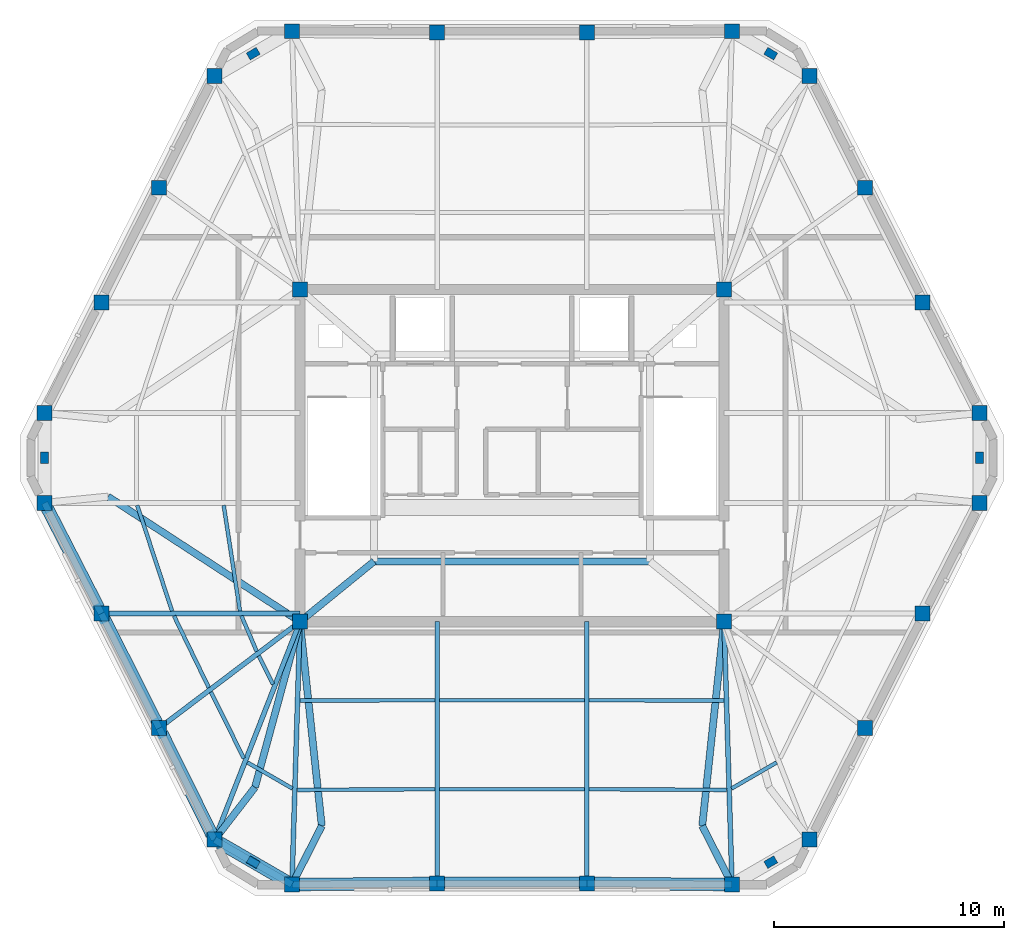
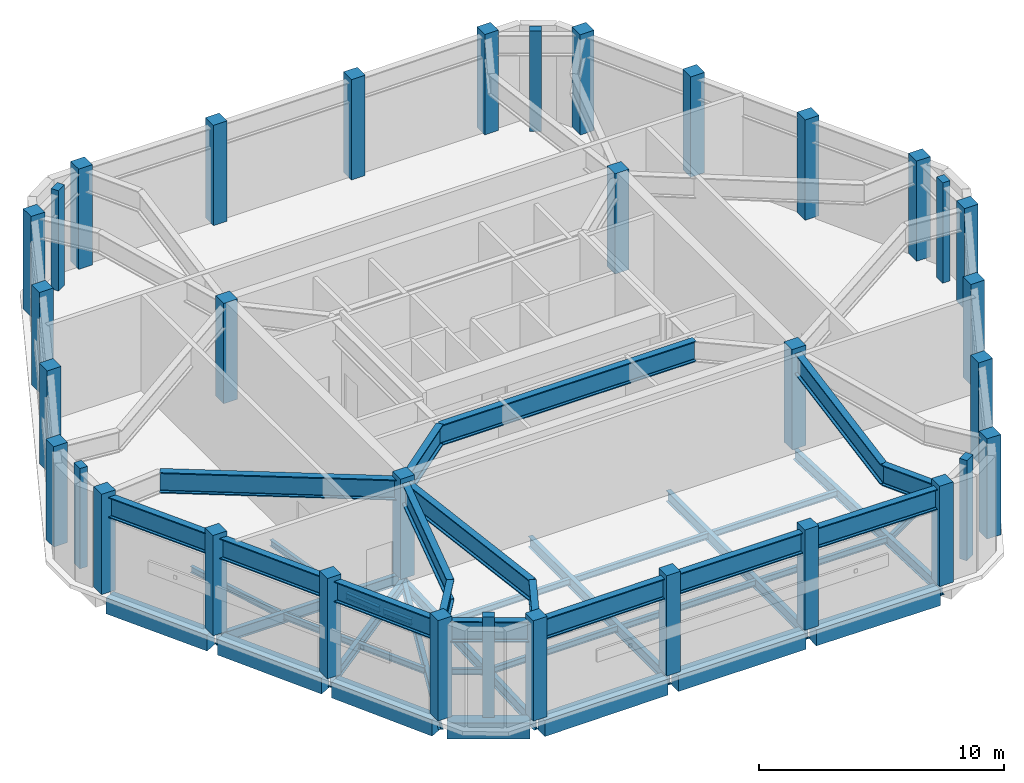
# One storey, part 1 of 6: 44 beams, 34 columns.
"""IFC4 building model written with IfcOpenShell, lengths in metres."""

from ifc_helpers import new_model, si_unit, direction, frame, origin, origin_2d, place, context, subcontext, project, spatial, rectangle, i_section, extrude, material, material_profile, profile_set, type_object, element, save


model = new_model("IFC4")

# Units and contexts
model_context = context("Model", 3, precision=1e-05, world=origin(), true_north=direction((0.0, 1.0)))
body_context = subcontext(model_context, "Body", "Model", "MODEL_VIEW")
ifc_project = project(units=[si_unit("LENGTHUNIT", "METRE"), si_unit("AREAUNIT", "SQUARE_METRE"), si_unit("VOLUMEUNIT", "CUBIC_METRE"), si_unit("PLANEANGLEUNIT", "RADIAN"), si_unit("MASSUNIT", "GRAM", prefix="KILO")], contexts=[model_context])

# Site, building, storey
site_placement = place(None, origin())
site = spatial("IfcSite", under=ifc_project, at=site_placement, CompositionType="ELEMENT")
building_placement = place(site_placement, origin())
building = spatial("IfcBuilding", under=site, at=building_placement, Name="Cinnabar Lancet Tower", CompositionType="ELEMENT")
storey_placement = place(building_placement, frame((0.0, 0.0, 300.5)))
storey = spatial("IfcBuildingStorey", under=building, at=storey_placement, Name="L79", CompositionType="ELEMENT", Elevation=300.5)

# Columns
ifc_material_1 = material(Name="Concrete C50/60", Category="concrete")
ifc_material_profile_1 = material_profile(ifc_material_1, rectangle(XDim=0.64990234375, YDim=0.64990234375, at=origin_2d()), Name="RC-COL 650x650")
ifc_profile_set_1 = profile_set([ifc_material_profile_1], Name="Concrete C50/60")
column_type_1 = type_object("IfcColumnType", Name="STR-COL-CORE-650B", PredefinedType="COLUMN", material=ifc_profile_set_1)
for number, where, z_axis, x_axis, name in (
    (1, (23.175048828125, 18.675048828125, 0.0), (0.0, 0.0, 1.0), (1.0, 0.0, 0.0), "L79 Core Corner Column SW"),
    (2, (41.625, 18.675048828125, 0.0), (0.0, 0.0, 1.0), (1.0, 0.0, 0.0), "L79 Core Corner Column SE"),
    (3, (41.625, 33.125, 0.0), (0.0, 0.0, 1.0), (1.0, 0.0, 0.0), "L79 Core Corner Column NE"),
    (4, (23.175048828125, 33.125, 0.0), (0.0, 0.0, 1.0), (1.0, 0.0, 0.0), "L79 Core Corner Column NW"),
):
    element("IfcColumn", number, at=place(storey_placement, frame(where, z_axis=z_axis, x_axis=x_axis)), inside=storey, type_object=column_type_1, Name=name, PredefinedType="COLUMN", context=body_context, shape_type="SweptSolid", body=[
        extrude(rectangle(XDim=0.64990234375, YDim=0.64990234375, at=origin_2d()), origin(), (0.0, 0.0, 1.0), 5.0),
    ])
ifc_material_2 = material(Name="Concrete C60/75", Category="concrete")
ifc_material_profile_2 = material_profile(ifc_material_2, rectangle(XDim=0.5, YDim=0.35009765625, at=origin_2d()), Name="RC-PIL 500x350")
ifc_profile_set_2 = profile_set([ifc_material_profile_2], Name="Concrete C60/75")
column_type_2 = type_object("IfcColumnType", Name="STR-COL-PIL-500", PredefinedType="PILASTER", material=ifc_profile_set_2)
for number, where, z_axis, x_axis, name in (
    (5, (21.14306640625, 8.215087890625, 0.0), (0.0, 0.0, 1.0), (0.865256437757, -0.501329529272, 0.0), "L79 Chamfered Corner Pilaster 1"),
    (6, (43.656982421875, 8.215087890625, 0.0), (0.0, 0.0, 1.0), (0.865256437757, 0.501329529272, 0.0), "L79 Chamfered Corner Pilaster 2"),
    (7, (52.737060546875, 25.800048828125, 0.0), (0.0, 0.0, 1.0), (0.0, 1.0, 0.0), "L79 Chamfered Corner Pilaster 3"),
    (8, (43.656982421875, 43.385009765625, 0.0), (0.0, 0.0, 1.0), (-0.865256437757, 0.501329529272, 0.0), "L79 Chamfered Corner Pilaster 4"),
    (9, (21.14306640625, 43.385009765625, 0.0), (0.0, 0.0, 1.0), (-0.865256437757, -0.501329529272, 0.0), "L79 Chamfered Corner Pilaster 5"),
    (10, (12.06298828125, 25.800048828125, 0.0), (0.0, 0.0, 1.0), (0.0, -1.0, 0.0), "L79 Chamfered Corner Pilaster 6"),
):
    element("IfcColumn", number, at=place(storey_placement, frame(where, z_axis=z_axis, x_axis=x_axis)), inside=storey, type_object=column_type_2, Name=name, PredefinedType="PILASTER", context=body_context, shape_type="SweptSolid", body=[
        extrude(rectangle(XDim=0.5, YDim=0.35009765625, at=origin_2d()), origin(), (0.0, 0.0, 1.0), 5.0),
    ])
ifc_material_3 = material(Name="Concrete C50/60", Category="concrete")
ifc_material_profile_3 = material_profile(ifc_material_3, rectangle(XDim=0.64990234375, YDim=0.64990234375, at=origin_2d()), Name="RC-COL 650x650")
ifc_profile_set_3 = profile_set([ifc_material_profile_3], Name="Concrete C50/60")
column_type_3 = type_object("IfcColumnType", Name="STR-COL-TUBE-650", PredefinedType="COLUMN", material=ifc_profile_set_3)
for number, where, z_axis, x_axis, name in (
    (11, (22.827880859375, 7.239013671875, 0.0), (0.0, 0.0, 1.0), (1.0, 0.0, 0.0), "L79 Perimeter Tube Column 1"),
    (12, (29.14599609375, 7.2919921875, 0.0), (0.0, 0.0, 1.0), (1.0, 0.0, 0.0), "L79 Perimeter Tube Column 2"),
    (13, (35.654052734375, 7.2919921875, 0.0), (0.0, 0.0, 1.0), (1.0, 0.0, 0.0), "L79 Perimeter Tube Column 3"),
    (14, (41.971923828125, 7.239013671875, 0.0), (0.0, 0.0, 1.0), (1.0, 0.0, 0.0), "L79 Perimeter Tube Column 4"),
    (15, (45.341064453125, 9.19091796875, 0.0), (0.0, 0.0, 1.0), (1.0, 0.0, 0.0), "L79 Perimeter Tube Column 5"),
    (16, (47.7490234375, 14.0458984375, 0.0), (0.0, 0.0, 1.0), (1.0, 0.0, 0.0), "L79 Perimeter Tube Column 6"),
    (17, (50.263916015625, 19.032958984375, 0.0), (0.0, 0.0, 1.0), (1.0, 0.0, 0.0), "L79 Perimeter Tube Column 7"),
    (18, (52.737060546875, 23.844970703125, 0.0), (0.0, 0.0, 1.0), (1.0, 0.0, 0.0), "L79 Perimeter Tube Column 8"),
    (19, (52.737060546875, 27.7548828125, 0.0), (0.0, 0.0, 1.0), (1.0, 0.0, 0.0), "L79 Perimeter Tube Column 9"),
    (20, (50.263916015625, 32.56689453125, 0.0), (0.0, 0.0, 1.0), (1.0, 0.0, 0.0), "L79 Perimeter Tube Column 10"),
    (21, (47.7490234375, 37.553955078125, 0.0), (0.0, 0.0, 1.0), (1.0, 0.0, 0.0), "L79 Perimeter Tube Column 11"),
    (22, (45.341064453125, 42.408935546875, 0.0), (0.0, 0.0, 1.0), (1.0, 0.0, 0.0), "L79 Perimeter Tube Column 12"),
    (23, (41.971923828125, 44.361083984375, 0.0), (0.0, 0.0, 1.0), (1.0, 0.0, 0.0), "L79 Perimeter Tube Column 13"),
    (24, (35.654052734375, 44.30810546875, 0.0), (0.0, 0.0, 1.0), (1.0, 0.0, 0.0), "L79 Perimeter Tube Column 14"),
    (25, (29.14599609375, 44.30810546875, 0.0), (0.0, 0.0, 1.0), (1.0, 0.0, 0.0), "L79 Perimeter Tube Column 15"),
    (26, (22.827880859375, 44.361083984375, 0.0), (0.0, 0.0, 1.0), (1.0, 0.0, 0.0), "L79 Perimeter Tube Column 16"),
    (27, (19.458984375, 42.408935546875, 0.0), (0.0, 0.0, 1.0), (1.0, 0.0, 0.0), "L79 Perimeter Tube Column 17"),
    (28, (17.051025390625, 37.553955078125, 0.0), (0.0, 0.0, 1.0), (1.0, 0.0, 0.0), "L79 Perimeter Tube Column 18"),
    (29, (14.535888671875, 32.56689453125, 0.0), (0.0, 0.0, 1.0), (1.0, 0.0, 0.0), "L79 Perimeter Tube Column 19"),
    (30, (12.06298828125, 27.7548828125, 0.0), (0.0, 0.0, 1.0), (1.0, 0.0, 0.0), "L79 Perimeter Tube Column 20"),
    (31, (12.06298828125, 23.844970703125, 0.0), (0.0, 0.0, 1.0), (1.0, 0.0, 0.0), "L79 Perimeter Tube Column 21"),
    (32, (14.535888671875, 19.032958984375, 0.0), (0.0, 0.0, 1.0), (1.0, 0.0, 0.0), "L79 Perimeter Tube Column 22"),
    (33, (17.051025390625, 14.0458984375, 0.0), (0.0, 0.0, 1.0), (1.0, 0.0, 0.0), "L79 Perimeter Tube Column 23"),
    (34, (19.458984375, 9.19091796875, 0.0), (0.0, 0.0, 1.0), (1.0, 0.0, 0.0), "L79 Perimeter Tube Column 24"),
):
    element("IfcColumn", number, at=place(storey_placement, frame(where, z_axis=z_axis, x_axis=x_axis)), inside=storey, type_object=column_type_3, Name=name, PredefinedType="COLUMN", context=body_context, shape_type="SweptSolid", body=[
        extrude(rectangle(XDim=0.64990234375, YDim=0.64990234375, at=origin_2d()), origin(), (0.0, 0.0, 1.0), 5.0),
    ])

# Beams
ifc_material_4 = material(Name="Structural steel S355", Category="steel")
ifc_material_profile_4 = material_profile(ifc_material_4, i_section(OverallWidth=0.1650390625, OverallDepth=0.303466796875, WebThickness=0.006103515625, FlangeThickness=0.01025390625, FilletRadius=0.0087890625, at=origin_2d()), Name="UKB 305x165x40")
ifc_profile_set_4 = profile_set([ifc_material_profile_4], Name="Structural steel S355")
beam_type_1 = type_object("IfcBeamType", Name="STR-BM-JST-305", PredefinedType="JOIST", material=ifc_profile_set_4)
beam_1_placement = place(storey_placement, frame((16.097900390625, 23.739990234375, -0.35205078125), z_axis=(0.312536616989, -0.949905712711, 0.0), x_axis=(0.949905712711, 0.312536616989, 0.0)))
element("IfcBeam", 35, at=beam_1_placement, inside=storey, type_object=beam_type_1, Name="L79 Secondary Floor Joist 1", PredefinedType="JOIST", context=body_context, shape_type="SweptSolid", body=[
    extrude(i_section(OverallWidth=0.1650390625, OverallDepth=0.303466796875, WebThickness=0.006103515625, FlangeThickness=0.01025390625, FilletRadius=0.0087890625, at=origin_2d()), origin(), (0.0, 0.0, 1.0), 4.8447265625),
])
beam_2_placement = place(storey_placement, frame((19.85791015625, 23.739990234375, -0.35205078125), z_axis=(0.152262059154, -0.988340156698, 0.0), x_axis=(0.988340156698, 0.152262059154, 0.0)))
element("IfcBeam", 36, at=beam_2_placement, inside=storey, type_object=beam_type_1, Name="L79 Secondary Floor Joist 2", PredefinedType="JOIST", context=body_context, shape_type="SweptSolid", body=[
    extrude(i_section(OverallWidth=0.1650390625, OverallDepth=0.303466796875, WebThickness=0.006103515625, FlangeThickness=0.01025390625, FilletRadius=0.0087890625, at=origin_2d()), origin(), (0.0, 0.0, 1.0), 4.65625),
])
beam_3_placement = place(storey_placement, frame((17.697021484375, 18.927978515625, -0.35205078125), z_axis=(0.43610936109, -0.899893674369, 0.0), x_axis=(0.899893674369, 0.43610936109, 0.0)))
element("IfcBeam", 37, at=beam_3_placement, inside=storey, type_object=beam_type_1, Name="L79 Secondary Floor Joist 3", PredefinedType="JOIST", context=body_context, shape_type="SweptSolid", body=[
    extrude(i_section(OverallWidth=0.1650390625, OverallDepth=0.303466796875, WebThickness=0.006103515625, FlangeThickness=0.01025390625, FilletRadius=0.0087890625, at=origin_2d()), origin(), (0.0, 0.0, 1.0), 3.467041015625),
])
beam_4_placement = place(storey_placement, frame((20.62890625, 18.927978515625, -0.35205078125), z_axis=(0.396302440144, -0.91812002262, 0.0), x_axis=(0.91812002262, 0.396302440144, 0.0)))
element("IfcBeam", 38, at=beam_4_placement, inside=storey, type_object=beam_type_1, Name="L79 Secondary Floor Joist 4", PredefinedType="JOIST", context=body_context, shape_type="SweptSolid", body=[
    extrude(i_section(OverallWidth=0.1650390625, OverallDepth=0.303466796875, WebThickness=0.006103515625, FlangeThickness=0.01025390625, FilletRadius=0.0087890625, at=origin_2d()), origin(), (0.0, 0.0, 1.0), 1.6806640625),
])
beam_5_placement = place(storey_placement, frame((19.302978515625, 15.616943359375, -0.35205078125), z_axis=(0.444330443712, -0.895862967641, 0.0), x_axis=(0.895862967641, 0.444330443712, 0.0)))
element("IfcBeam", 39, at=beam_5_placement, inside=storey, type_object=beam_type_1, Name="L79 Secondary Floor Joist 5", PredefinedType="JOIST", context=body_context, shape_type="SweptSolid", body=[
    extrude(i_section(OverallWidth=0.1650390625, OverallDepth=0.303466796875, WebThickness=0.006103515625, FlangeThickness=0.01025390625, FilletRadius=0.0087890625, at=origin_2d()), origin(), (0.0, 0.0, 1.0), 3.220458984375),
])
beam_6_placement = place(storey_placement, frame((21.385009765625, 17.19091796875, -0.35205078125), z_axis=(0.444093192127, -0.89598060063, 0.0), x_axis=(0.89598060063, 0.444093192127, 0.0)))
element("IfcBeam", 40, at=beam_6_placement, inside=storey, type_object=beam_type_1, Name="L79 Secondary Floor Joist 6", PredefinedType="JOIST", context=body_context, shape_type="SweptSolid", body=[
    extrude(i_section(OverallWidth=0.1650390625, OverallDepth=0.303466796875, WebThickness=0.006103515625, FlangeThickness=0.01025390625, FilletRadius=0.0087890625, at=origin_2d()), origin(), (0.0, 0.0, 1.0), 1.378173828125),
])
beam_7_placement = place(storey_placement, frame((20.887939453125, 12.552001953125, -0.35205078125), z_axis=(0.865426285481, -0.501036270542, 0.0), x_axis=(0.501036270542, 0.865426285481, 0.0)))
element("IfcBeam", 41, at=beam_7_placement, inside=storey, type_object=beam_type_1, Name="L79 Secondary Floor Joist 7", PredefinedType="JOIST", context=body_context, shape_type="SweptSolid", body=[
    extrude(i_section(OverallWidth=0.1650390625, OverallDepth=0.303466796875, WebThickness=0.006103515625, FlangeThickness=0.01025390625, FilletRadius=0.0087890625, at=origin_2d()), origin(), (0.0, 0.0, 1.0), 2.267333984375),
])
beam_8_placement = place(storey_placement, frame((23.05810546875, 11.35693359375, -0.35205078125), z_axis=(0.999985712428, 0.005345553266, 0.0), x_axis=(-0.005345553266, 0.999985712428, 0.0)))
element("IfcBeam", 42, at=beam_8_placement, inside=storey, type_object=beam_type_1, Name="L79 Secondary Floor Joist 8", PredefinedType="JOIST", context=body_context, shape_type="SweptSolid", body=[
    extrude(i_section(OverallWidth=0.1650390625, OverallDepth=0.303466796875, WebThickness=0.006103515625, FlangeThickness=0.01025390625, FilletRadius=0.0087890625, at=origin_2d()), origin(), (0.0, 0.0, 1.0), 5.98291015625),
])
beam_9_placement = place(storey_placement, frame((23.176025390625, 15.243896484375, -0.35205078125), z_axis=(0.999996226008, 0.002747356738, 0.0), x_axis=(-0.002747356738, 0.999996226008, 0.0)))
element("IfcBeam", 43, at=beam_9_placement, inside=storey, type_object=beam_type_1, Name="L79 Secondary Floor Joist 9", PredefinedType="JOIST", context=body_context, shape_type="SweptSolid", body=[
    extrude(i_section(OverallWidth=0.1650390625, OverallDepth=0.303466796875, WebThickness=0.006103515625, FlangeThickness=0.01025390625, FilletRadius=0.0087890625, at=origin_2d()), origin(), (0.0, 0.0, 1.0), 5.864990234375),
])
for number, where, z_axis, x_axis, name in (
    (44, (29.2509765625, 11.389892578125, -0.35205078125), (1.0, 0.0, 0.0), (0.0, 1.0, 0.0), "L79 Secondary Floor Joist 10"),
    (45, (29.2509765625, 15.260009765625, -0.35205078125), (1.0, 0.0, 0.0), (0.0, 1.0, 0.0), "L79 Secondary Floor Joist 11"),
):
    element("IfcBeam", number, at=place(storey_placement, frame(where, z_axis=z_axis, x_axis=x_axis)), inside=storey, type_object=beam_type_1, Name=name, PredefinedType="JOIST", context=body_context, shape_type="SweptSolid", body=[
        extrude(i_section(OverallWidth=0.1650390625, OverallDepth=0.303466796875, WebThickness=0.006103515625, FlangeThickness=0.01025390625, FilletRadius=0.0087890625, at=origin_2d()), origin(), (0.0, 0.0, 1.0), 6.298095703125),
    ])
beam_10_placement = place(storey_placement, frame((35.759033203125, 11.388916015625, -0.35205078125), z_axis=(0.999985712428, -0.005345553266, 0.0), x_axis=(0.005345553266, 0.999985712428, 0.0)))
element("IfcBeam", 46, at=beam_10_placement, inside=storey, type_object=beam_type_1, Name="L79 Secondary Floor Joist 12", PredefinedType="JOIST", context=body_context, shape_type="SweptSolid", body=[
    extrude(i_section(OverallWidth=0.1650390625, OverallDepth=0.303466796875, WebThickness=0.006103515625, FlangeThickness=0.01025390625, FilletRadius=0.0087890625, at=origin_2d()), origin(), (0.0, 0.0, 1.0), 5.98291015625),
])
beam_11_placement = place(storey_placement, frame((35.759033203125, 15.260009765625, -0.35205078125), z_axis=(0.999996226008, -0.002747356738, 0.0), x_axis=(0.002747356738, 0.999996226008, 0.0)))
element("IfcBeam", 47, at=beam_11_placement, inside=storey, type_object=beam_type_1, Name="L79 Secondary Floor Joist 13", PredefinedType="JOIST", context=body_context, shape_type="SweptSolid", body=[
    extrude(i_section(OverallWidth=0.1650390625, OverallDepth=0.303466796875, WebThickness=0.006103515625, FlangeThickness=0.01025390625, FilletRadius=0.0087890625, at=origin_2d()), origin(), (0.0, 0.0, 1.0), 5.864990234375),
])
beam_12_placement = place(storey_placement, frame((41.949951171875, 11.416015625, -0.35205078125), z_axis=(0.865426285481, 0.501036270542, 0.0), x_axis=(-0.501036270542, 0.865426285481, 0.0)))
element("IfcBeam", 48, at=beam_12_placement, inside=storey, type_object=beam_type_1, Name="L79 Secondary Floor Joist 14", PredefinedType="JOIST", context=body_context, shape_type="SweptSolid", body=[
    extrude(i_section(OverallWidth=0.1650390625, OverallDepth=0.303466796875, WebThickness=0.006103515625, FlangeThickness=0.01025390625, FilletRadius=0.0087890625, at=origin_2d()), origin(), (0.0, 0.0, 1.0), 2.267333984375),
])
ifc_material_5 = material(Name="Concrete C50/60", Category="concrete")
ifc_material_profile_5 = material_profile(ifc_material_5, rectangle(XDim=0.550048828125, YDim=0.800048828125, at=origin_2d()), Name="RC-SB 550x800")
ifc_profile_set_5 = profile_set([ifc_material_profile_5], Name="Concrete C50/60")
beam_type_2 = type_object("IfcBeamType", Name="STR-BM-RCSB-800", PredefinedType="SPANDREL", material=ifc_profile_set_5)
beam_13_placement = place(storey_placement, frame((23.077880859375, 7.240966796875, -0.60009765625), z_axis=(0.999964432412, 0.008434092187, 0.0), x_axis=(-0.008434092187, 0.999964432412, 0.0)))
element("IfcBeam", 49, at=beam_13_placement, inside=storey, type_object=beam_type_2, Name="L79 Perimeter Spandrel 1", PredefinedType="SPANDREL", context=body_context, shape_type="SweptSolid", body=[
    extrude(rectangle(XDim=0.550048828125, YDim=0.800048828125, at=origin_2d()), origin(), (0.0, 0.0, 1.0), 5.818359375),
])
beam_14_placement = place(storey_placement, frame((29.39599609375, 7.2919921875, -0.60009765625), z_axis=(1.0, 0.0, 0.0), x_axis=(0.0, 1.0, 0.0)))
element("IfcBeam", 50, at=beam_14_placement, inside=storey, type_object=beam_type_2, Name="L79 Perimeter Spandrel 2", PredefinedType="SPANDREL", context=body_context, shape_type="SweptSolid", body=[
    extrude(rectangle(XDim=0.550048828125, YDim=0.800048828125, at=origin_2d()), origin(), (0.0, 0.0, 1.0), 6.008056640625),
])
beam_15_placement = place(storey_placement, frame((35.904052734375, 7.2900390625, -0.60009765625), z_axis=(0.999964429427, -0.00843444609, 0.0), x_axis=(0.00843444609, 0.999964429427, 0.0)))
element("IfcBeam", 51, at=beam_15_placement, inside=storey, type_object=beam_type_2, Name="L79 Perimeter Spandrel 3", PredefinedType="SPANDREL", context=body_context, shape_type="SweptSolid", body=[
    extrude(rectangle(XDim=0.550048828125, YDim=0.800048828125, at=origin_2d()), origin(), (0.0, 0.0, 1.0), 5.818115234375),
])
beam_16_placement = place(storey_placement, frame((12.177001953125, 23.623046875, -0.60009765625), z_axis=(0.457127852293, -0.889400993174, 0.0), x_axis=(0.889400993174, 0.457127852293, 0.0)))
element("IfcBeam", 52, at=beam_16_placement, inside=storey, type_object=beam_type_2, Name="L79 Perimeter Spandrel 21", PredefinedType="SPANDREL", context=body_context, shape_type="SweptSolid", body=[
    extrude(rectangle(XDim=0.550048828125, YDim=0.800048828125, at=origin_2d()), origin(), (0.0, 0.0, 1.0), 4.911376953125),
])
beam_17_placement = place(storey_placement, frame((14.64892578125, 18.81005859375, -0.60009765625), z_axis=(0.450130146726, -0.892962961722, 0.0), x_axis=(0.892962961722, 0.450130146726, 0.0)))
element("IfcBeam", 53, at=beam_17_placement, inside=storey, type_object=beam_type_2, Name="L79 Perimeter Spandrel 22", PredefinedType="SPANDREL", context=body_context, shape_type="SweptSolid", body=[
    extrude(rectangle(XDim=0.550048828125, YDim=0.800048828125, at=origin_2d()), origin(), (0.0, 0.0, 1.0), 5.08544921875),
])
beam_18_placement = place(storey_placement, frame((17.162109375, 13.822021484375, -0.60009765625), z_axis=(0.44433276947, -0.895861814107, 0.0), x_axis=(0.895861814107, 0.44433276947, 0.0)))
element("IfcBeam", 54, at=beam_18_placement, inside=storey, type_object=beam_type_2, Name="L79 Perimeter Spandrel 23", PredefinedType="SPANDREL", context=body_context, shape_type="SweptSolid", body=[
    extrude(rectangle(XDim=0.550048828125, YDim=0.800048828125, at=origin_2d()), origin(), (0.0, 0.0, 1.0), 4.919189453125),
])
beam_19_placement = place(storey_placement, frame((19.675048828125, 9.06591796875, -0.60009765625), z_axis=(0.865230894194, -0.50137361292, 0.0), x_axis=(0.50137361292, 0.865230894194, 0.0)))
element("IfcBeam", 55, at=beam_19_placement, inside=storey, type_object=beam_type_2, Name="L79 Perimeter Spandrel 24", PredefinedType="SPANDREL", context=body_context, shape_type="SweptSolid", body=[
    extrude(rectangle(XDim=0.550048828125, YDim=0.800048828125, at=origin_2d()), origin(), (0.0, 0.0, 1.0), 3.39453125),
])
ifc_material_6 = material(Name="Structural steel S460", Category="steel")
ifc_material_profile_6 = material_profile(ifc_material_6, i_section(OverallWidth=0.305419921875, OverallDepth=1.02587890625, WebThickness=0.02685546875, FlangeThickness=0.049072265625, FilletRadius=0.030029296875, at=origin_2d()), Name="UKB 1016x305x437")
ifc_profile_set_6 = profile_set([ifc_material_profile_6], Name="Structural steel S460")
beam_type_3 = type_object("IfcBeamType", Name="STR-BM-UKB1016-437", PredefinedType="BEAM", material=ifc_profile_set_6)
beam_20_placement = place(storey_placement, frame((22.827880859375, 7.239013671875, 4.237060546875), z_axis=(0.999964846256, 0.0083848824, 0.0), x_axis=(-0.0083848824, 0.999964846256, 0.0)))
element("IfcBeam", 56, at=beam_20_placement, inside=storey, type_object=beam_type_3, Name="L80 Setback Outer Ring Girder 1", PredefinedType="BEAM", context=body_context, shape_type="SweptSolid", body=[
    extrude(i_section(OverallWidth=0.305419921875, OverallDepth=1.02587890625, WebThickness=0.02685546875, FlangeThickness=0.049072265625, FilletRadius=0.030029296875, at=origin_2d()), origin(), (0.0, 0.0, 1.0), 6.318359375),
])
beam_21_placement = place(storey_placement, frame((29.14599609375, 7.2919921875, 4.237060546875), z_axis=(1.0, 0.0, 0.0), x_axis=(0.0, 1.0, 0.0)))
element("IfcBeam", 57, at=beam_21_placement, inside=storey, type_object=beam_type_3, Name="L80 Setback Outer Ring Girder 2", PredefinedType="BEAM", context=body_context, shape_type="SweptSolid", body=[
    extrude(i_section(OverallWidth=0.305419921875, OverallDepth=1.02587890625, WebThickness=0.02685546875, FlangeThickness=0.049072265625, FilletRadius=0.030029296875, at=origin_2d()), origin(), (0.0, 0.0, 1.0), 6.508056640625),
])
beam_22_placement = place(storey_placement, frame((35.654052734375, 7.2919921875, 4.237060546875), z_axis=(0.999964843539, -0.008385206393, 0.0), x_axis=(0.008385206393, 0.999964843539, 0.0)))
element("IfcBeam", 58, at=beam_22_placement, inside=storey, type_object=beam_type_3, Name="L80 Setback Outer Ring Girder 3", PredefinedType="BEAM", context=body_context, shape_type="SweptSolid", body=[
    extrude(i_section(OverallWidth=0.305419921875, OverallDepth=1.02587890625, WebThickness=0.02685546875, FlangeThickness=0.049072265625, FilletRadius=0.030029296875, at=origin_2d()), origin(), (0.0, 0.0, 1.0), 6.318115234375),
])
beam_23_placement = place(storey_placement, frame((12.06298828125, 23.844970703125, 4.237060546875), z_axis=(0.457077791072, -0.889426721495, 0.0), x_axis=(0.889426721495, 0.457077791072, 0.0)))
element("IfcBeam", 59, at=beam_23_placement, inside=storey, type_object=beam_type_3, Name="L80 Setback Outer Ring Girder 21", PredefinedType="BEAM", context=body_context, shape_type="SweptSolid", body=[
    extrude(i_section(OverallWidth=0.305419921875, OverallDepth=1.02587890625, WebThickness=0.02685546875, FlangeThickness=0.049072265625, FilletRadius=0.030029296875, at=origin_2d()), origin(), (0.0, 0.0, 1.0), 5.41015625),
])
beam_24_placement = place(storey_placement, frame((14.535888671875, 19.032958984375, 4.237060546875), z_axis=(0.450305622338, -0.892874485295, 0.0), x_axis=(0.892874485295, 0.450305622338, 0.0)))
element("IfcBeam", 60, at=beam_24_placement, inside=storey, type_object=beam_type_3, Name="L80 Setback Outer Ring Girder 22", PredefinedType="BEAM", context=body_context, shape_type="SweptSolid", body=[
    extrude(i_section(OverallWidth=0.305419921875, OverallDepth=1.02587890625, WebThickness=0.02685546875, FlangeThickness=0.049072265625, FilletRadius=0.030029296875, at=origin_2d()), origin(), (0.0, 0.0, 1.0), 5.58544921875),
])
beam_25_placement = place(storey_placement, frame((17.051025390625, 14.0458984375, 4.237060546875), z_axis=(0.444328072488, -0.895864143718, 0.0), x_axis=(0.895864143718, 0.444328072488, 0.0)))
element("IfcBeam", 61, at=beam_25_placement, inside=storey, type_object=beam_type_3, Name="L80 Setback Outer Ring Girder 23", PredefinedType="BEAM", context=body_context, shape_type="SweptSolid", body=[
    extrude(i_section(OverallWidth=0.305419921875, OverallDepth=1.02587890625, WebThickness=0.02685546875, FlangeThickness=0.049072265625, FilletRadius=0.030029296875, at=origin_2d()), origin(), (0.0, 0.0, 1.0), 5.41943359375),
])
beam_26_placement = place(storey_placement, frame((19.458984375, 9.19091796875, 4.237060546875), z_axis=(0.865260240017, -0.501322966805, 0.0), x_axis=(0.501322966805, 0.865260240017, 0.0)))
element("IfcBeam", 62, at=beam_26_placement, inside=storey, type_object=beam_type_3, Name="L80 Setback Outer Ring Girder 24", PredefinedType="BEAM", context=body_context, shape_type="SweptSolid", body=[
    extrude(i_section(OverallWidth=0.305419921875, OverallDepth=1.02587890625, WebThickness=0.02685546875, FlangeThickness=0.049072265625, FilletRadius=0.030029296875, at=origin_2d()), origin(), (0.0, 0.0, 1.0), 3.8935546875),
])
beam_27_placement = place(storey_placement, frame((22.827880859375, 7.239013671875, 4.237060546875), z_axis=(0.453381129715, 0.89131675134, 0.0), x_axis=(-0.89131675134, 0.453381129715, 0.0)))
element("IfcBeam", 63, at=beam_27_placement, inside=storey, type_object=beam_type_3, Name="L80 Crown Setback Strut Girder 1", PredefinedType="BEAM", context=body_context, shape_type="SweptSolid", body=[
    extrude(i_section(OverallWidth=0.305419921875, OverallDepth=1.02587890625, WebThickness=0.02685546875, FlangeThickness=0.049072265625, FilletRadius=0.030029296875, at=origin_2d()), origin(), (0.0, 0.0, 1.0), 2.861083984375),
])
beam_28_placement = place(storey_placement, frame((24.125, 9.7890625, 4.237060546875), z_axis=(-0.106298720503, 0.994334240595, 0.0), x_axis=(-0.994334240595, -0.106298720503, 0.0)))
element("IfcBeam", 64, at=beam_28_placement, inside=storey, type_object=beam_type_3, Name="L80 Crown Setback Radial Girder 1", PredefinedType="BEAM", context=body_context, shape_type="SweptSolid", body=[
    extrude(i_section(OverallWidth=0.305419921875, OverallDepth=1.02587890625, WebThickness=0.02685546875, FlangeThickness=0.049072265625, FilletRadius=0.030029296875, at=origin_2d()), origin(), (0.0, 0.0, 1.0), 8.9365234375),
])
beam_29_placement = place(storey_placement, frame((41.971923828125, 7.239013671875, 4.237060546875), z_axis=(-0.453313332326, 0.891351234214, 0.0), x_axis=(-0.891351234214, -0.453313332326, 0.0)))
element("IfcBeam", 65, at=beam_29_placement, inside=storey, type_object=beam_type_3, Name="L80 Crown Setback Strut Girder 2", PredefinedType="BEAM", context=body_context, shape_type="SweptSolid", body=[
    extrude(i_section(OverallWidth=0.305419921875, OverallDepth=1.02587890625, WebThickness=0.02685546875, FlangeThickness=0.049072265625, FilletRadius=0.030029296875, at=origin_2d()), origin(), (0.0, 0.0, 1.0), 2.86083984375),
])
beam_30_placement = place(storey_placement, frame((40.675048828125, 9.7890625, 4.237060546875), z_axis=(0.106298720503, 0.994334240595, 0.0), x_axis=(-0.994334240595, 0.106298720503, 0.0)))
element("IfcBeam", 66, at=beam_30_placement, inside=storey, type_object=beam_type_3, Name="L80 Crown Setback Radial Girder 2", PredefinedType="BEAM", context=body_context, shape_type="SweptSolid", body=[
    extrude(i_section(OverallWidth=0.305419921875, OverallDepth=1.02587890625, WebThickness=0.02685546875, FlangeThickness=0.049072265625, FilletRadius=0.030029296875, at=origin_2d()), origin(), (0.0, 0.0, 1.0), 8.9365234375),
])
beam_31_placement = place(storey_placement, frame((14.826904296875, 24.116943359375, 4.237060546875), z_axis=(0.837727550209, -0.546088410077, 0.0), x_axis=(0.546088410077, 0.837727550209, 0.0)))
element("IfcBeam", 67, at=beam_31_placement, inside=storey, type_object=beam_type_3, Name="L80 Crown Setback Radial Girder 11", PredefinedType="BEAM", context=body_context, shape_type="SweptSolid", body=[
    extrude(i_section(OverallWidth=0.305419921875, OverallDepth=1.02587890625, WebThickness=0.02685546875, FlangeThickness=0.049072265625, FilletRadius=0.030029296875, at=origin_2d()), origin(), (0.0, 0.0, 1.0), 9.96533203125),
])
beam_32_placement = place(storey_placement, frame((19.458984375, 9.19091796875, 4.237060546875), z_axis=(0.611377502298, 0.791339086412, 0.0), x_axis=(-0.791339086412, 0.611377502298, 0.0)))
element("IfcBeam", 68, at=beam_32_placement, inside=storey, type_object=beam_type_3, Name="L80 Crown Setback Strut Girder 12", PredefinedType="BEAM", context=body_context, shape_type="SweptSolid", body=[
    extrude(i_section(OverallWidth=0.305419921875, OverallDepth=1.02587890625, WebThickness=0.02685546875, FlangeThickness=0.049072265625, FilletRadius=0.030029296875, at=origin_2d()), origin(), (0.0, 0.0, 1.0), 2.878662109375),
])
beam_33_placement = place(storey_placement, frame((21.218994140625, 11.468994140625, 4.237060546875), z_axis=(0.261966293261, 0.965077023452, 0.0), x_axis=(-0.965077023452, 0.261966293261, 0.0)))
element("IfcBeam", 69, at=beam_33_placement, inside=storey, type_object=beam_type_3, Name="L80 Crown Setback Radial Girder 12", PredefinedType="BEAM", context=body_context, shape_type="SweptSolid", body=[
    extrude(i_section(OverallWidth=0.305419921875, OverallDepth=1.02587890625, WebThickness=0.02685546875, FlangeThickness=0.049072265625, FilletRadius=0.030029296875, at=origin_2d()), origin(), (0.0, 0.0, 1.0), 7.466796875),
])
beam_34_placement = place(storey_placement, frame((23.175048828125, 18.675048828125, 4.237060546875), z_axis=(0.775547964971, 0.631288645573, 0.0), x_axis=(-0.631288645573, 0.775547964971, 0.0)))
element("IfcBeam", 70, at=beam_34_placement, inside=storey, type_object=beam_type_3, Name="L80 Crown Inner Ring Transfer 1", PredefinedType="BEAM", context=body_context, shape_type="SweptSolid", body=[
    extrude(i_section(OverallWidth=0.305419921875, OverallDepth=1.02587890625, WebThickness=0.02685546875, FlangeThickness=0.049072265625, FilletRadius=0.030029296875, at=origin_2d()), origin(), (0.0, 0.0, 1.0), 4.158203125),
])
beam_35_placement = place(storey_placement, frame((26.39990234375, 21.300048828125, 4.237060546875), z_axis=(1.0, 0.0, 0.0), x_axis=(0.0, 1.0, 0.0)))
element("IfcBeam", 71, at=beam_35_placement, inside=storey, type_object=beam_type_3, Name="L80 Crown Inner Ring Tie 1", PredefinedType="BEAM", context=body_context, shape_type="SweptSolid", body=[
    extrude(i_section(OverallWidth=0.305419921875, OverallDepth=1.02587890625, WebThickness=0.02685546875, FlangeThickness=0.049072265625, FilletRadius=0.030029296875, at=origin_2d()), origin(), (0.0, 0.0, 1.0), 12.0),
])
ifc_material_7 = material(Name="Structural steel S355", Category="steel")
ifc_material_profile_7 = material_profile(ifc_material_7, i_section(OverallWidth=0.209228515625, OverallDepth=0.533203125, WebThickness=0.010009765625, FlangeThickness=0.015625, FilletRadius=0.0126953125, at=origin_2d()), Name="UKB 533x210x92")
ifc_profile_set_7 = profile_set([ifc_material_profile_7], Name="Structural steel S355")
beam_type_4 = type_object("IfcBeamType", Name="STR-BM-UKB533-92", PredefinedType="BEAM", material=ifc_profile_set_7)
beam_36_placement = place(storey_placement, frame((17.051025390625, 14.0458984375, -0.467041015625), z_axis=(0.797735075719, 0.603008083667, 0.0), x_axis=(-0.603008083667, 0.797735075719, 0.0)))
element("IfcBeam", 72, at=beam_36_placement, inside=storey, type_object=beam_type_4, Name="L79 Corner Collector Girder 1", PredefinedType="BEAM", context=body_context, shape_type="SweptSolid", body=[
    extrude(i_section(OverallWidth=0.209228515625, OverallDepth=0.533203125, WebThickness=0.010009765625, FlangeThickness=0.015625, FilletRadius=0.0126953125, at=origin_2d()), origin(), (0.0, 0.0, 1.0), 7.6767578125),
])
beam_37_placement = place(storey_placement, frame((22.827880859375, 7.239013671875, -0.467041015625), z_axis=(0.030343393029, 0.999539533235, 0.0), x_axis=(-0.999539533235, 0.030343393029, 0.0)))
element("IfcBeam", 73, at=beam_37_placement, inside=storey, type_object=beam_type_4, Name="L79 Primary Floor Girder 1", PredefinedType="BEAM", context=body_context, shape_type="SweptSolid", body=[
    extrude(i_section(OverallWidth=0.209228515625, OverallDepth=0.533203125, WebThickness=0.010009765625, FlangeThickness=0.015625, FilletRadius=0.0126953125, at=origin_2d()), origin(), (0.0, 0.0, 1.0), 11.44140625),
])
for number, where, z_axis, x_axis, name in (
    (74, (29.14599609375, 7.2919921875, -0.467041015625), (0.0, 1.0, 0.0), (-1.0, 0.0, 0.0), "L79 Primary Floor Girder 2"),
    (75, (35.654052734375, 7.2919921875, -0.467041015625), (0.0, 1.0, 0.0), (-1.0, 0.0, 0.0), "L79 Primary Floor Girder 3"),
):
    element("IfcBeam", number, at=place(storey_placement, frame(where, z_axis=z_axis, x_axis=x_axis)), inside=storey, type_object=beam_type_4, Name=name, PredefinedType="BEAM", context=body_context, shape_type="SweptSolid", body=[
        extrude(i_section(OverallWidth=0.209228515625, OverallDepth=0.533203125, WebThickness=0.010009765625, FlangeThickness=0.015625, FilletRadius=0.0126953125, at=origin_2d()), origin(), (0.0, 0.0, 1.0), 11.383056640625),
    ])
beam_38_placement = place(storey_placement, frame((41.971923828125, 7.239013671875, -0.467041015625), z_axis=(-0.030322074123, 0.999540180193, 0.0), x_axis=(-0.999540180193, -0.030322074123, 0.0)))
element("IfcBeam", 76, at=beam_38_placement, inside=storey, type_object=beam_type_4, Name="L79 Primary Floor Girder 4", PredefinedType="BEAM", context=body_context, shape_type="SweptSolid", body=[
    extrude(i_section(OverallWidth=0.209228515625, OverallDepth=0.533203125, WebThickness=0.010009765625, FlangeThickness=0.015625, FilletRadius=0.0126953125, at=origin_2d()), origin(), (0.0, 0.0, 1.0), 11.44140625),
])
beam_39_placement = place(storey_placement, frame((14.535888671875, 19.032958984375, -0.467041015625), z_axis=(1.0, 0.0, 0.0), x_axis=(0.0, 1.0, 0.0)))
element("IfcBeam", 77, at=beam_39_placement, inside=storey, type_object=beam_type_4, Name="L79 Primary Floor Girder 22", PredefinedType="BEAM", context=body_context, shape_type="SweptSolid", body=[
    extrude(i_section(OverallWidth=0.209228515625, OverallDepth=0.533203125, WebThickness=0.010009765625, FlangeThickness=0.015625, FilletRadius=0.0126953125, at=origin_2d()), origin(), (0.0, 0.0, 1.0), 8.63916015625),
])
beam_40_placement = place(storey_placement, frame((19.458984375, 9.19091796875, -0.467041015625), z_axis=(0.364815017375, 0.931080019707, 0.0), x_axis=(-0.931080019707, 0.364815017375, 0.0)))
element("IfcBeam", 78, at=beam_40_placement, inside=storey, type_object=beam_type_4, Name="L79 Primary Floor Girder 24", PredefinedType="BEAM", context=body_context, shape_type="SweptSolid", body=[
    extrude(i_section(OverallWidth=0.209228515625, OverallDepth=0.533203125, WebThickness=0.010009765625, FlangeThickness=0.015625, FilletRadius=0.0126953125, at=origin_2d()), origin(), (0.0, 0.0, 1.0), 10.186279296875),
])

save(model, "model.ifc")
